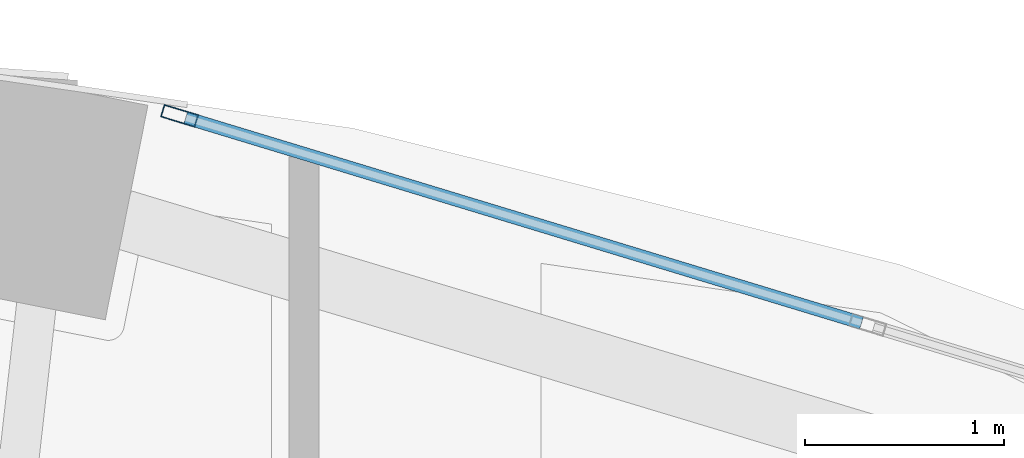
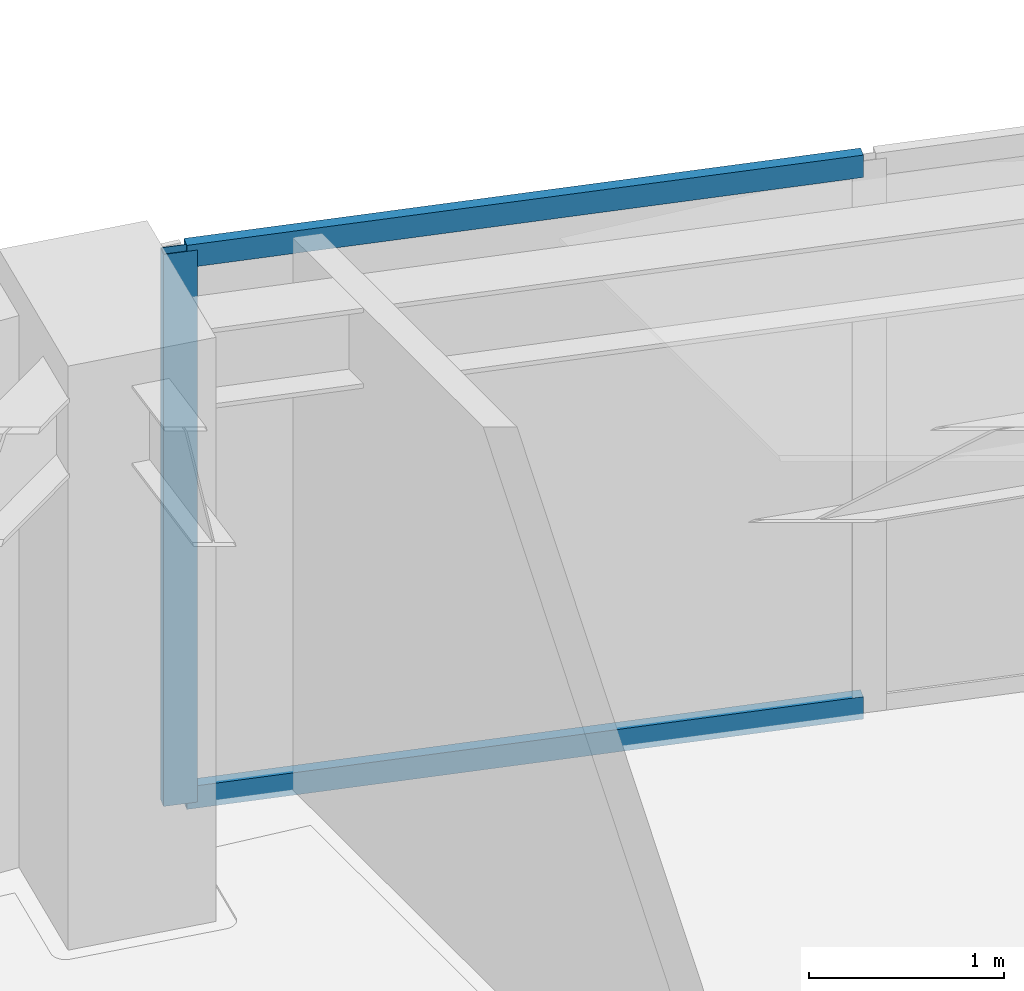
# One storey, part 7 of 13: 3 members, 1 element without a shape of its own.
"""IFC4 building model written with IfcOpenShell, lengths in metres."""

from ifc_helpers import new_model, si_unit, direction, frame, origin, origin_2d, place, context, subcontext, project, spatial, hollow_rectangle, extrude, material, layer, layer_set, material_profile, profile_set, type_object, element, aggregate, save


model = new_model("IFC4")

# Units and contexts
model_context = context("Model", 3, precision=1e-05, world=origin(), true_north=direction((0.0, 1.0)))
body_context = subcontext(model_context, "Body", "Model", "MODEL_VIEW")
ifc_project = project(units=[si_unit("LENGTHUNIT", "METRE"), si_unit("AREAUNIT", "SQUARE_METRE"), si_unit("VOLUMEUNIT", "CUBIC_METRE"), si_unit("PLANEANGLEUNIT", "RADIAN"), si_unit("MASSUNIT", "GRAM", prefix="KILO")], contexts=[model_context])

# Site, building, storey
site_placement = place(None, origin())
site = spatial("IfcSite", under=ifc_project, at=site_placement, CompositionType="ELEMENT")
building_placement = place(site_placement, origin())
building = spatial("IfcBuilding", under=site, at=building_placement, Name="Lazwardi Medical Tower", CompositionType="ELEMENT")
storey_placement = place(building_placement, frame((0.0, 0.0, 276.912109375)))
storey = spatial("IfcBuildingStorey", under=building, at=storey_placement, Name="L72", CompositionType="ELEMENT", Elevation=276.912109375)

# Curtain wall, members
ifc_material_1 = material(Name="Anodised bronze aluminium and solar control glazing", Category="aluminium")
ifc_layer = layer(ifc_material_1, 0.18994140625)
ifc_layer_set = layer_set([ifc_layer], Name="Anodised bronze aluminium and solar control glazing")
curtain_wall_type = type_object("IfcCurtainWallType", Name="CW-SYS-04", PredefinedType="NOTDEFINED", material=ifc_layer_set)
curtain_wall_placement = place(storey_placement, origin())
curtain_wall = element("IfcCurtainWall", 1, at=curtain_wall_placement, inside=storey, type_object=curtain_wall_type, Name="L72 Unitised bronze curtain wall CW-04", PredefinedType="NOTDEFINED")
ifc_material_2 = material(Name="Anodised bronze aluminium", Category="aluminium")
ifc_material_profile_1 = material_profile(ifc_material_2, hollow_rectangle(XDim=0.06494140625, YDim=0.179931640625, WallThickness=0.00390625, at=origin_2d()), Name="ALU-MULLION 180x65x4")
ifc_profile_set_1 = profile_set([ifc_material_profile_1], Name="Anodised bronze aluminium")
member_type_1 = type_object("IfcMemberType", Name="CW-MUL-03", PredefinedType="MULLION", material=ifc_profile_set_1)
member_1_placement = place(storey_placement, frame((40.873046875, 45.007080078125, 0.0), z_axis=(0.0, 0.0, 1.0), x_axis=(-0.290581889515, -0.956850126972, 0.0)))
member_1 = element("IfcMember", 2, at=member_1_placement, type_object=member_type_1, Name="CW-04 mullion 3", PredefinedType="MULLION", context=body_context, shape_type="SweptSolid", body=[
    extrude(hollow_rectangle(XDim=0.06494140625, YDim=0.179931640625, WallThickness=0.00390625, at=origin_2d()), origin(), (0.0, 0.0, 1.0), 3.447998046875),
])
ifc_material_profile_2 = material_profile(ifc_material_2, hollow_rectangle(XDim=0.06494140625, YDim=0.139892578125, WallThickness=0.00341796875, at=origin_2d()), Name="ALU-TRANSOM 140x65x3.5")
ifc_profile_set_2 = profile_set([ifc_material_profile_2], Name="Anodised bronze aluminium")
member_type_2 = type_object("IfcMemberType", Name="CW-TRN-03", PredefinedType="USERDEFINED", material=ifc_profile_set_2)
member_2_placement = place(storey_placement, frame((44.305419921875, 43.96484375, 0.032470703125), z_axis=(-0.956862505902, 0.290541124109, 0.0), x_axis=(-0.290541124109, -0.956862505902, 0.0)))
member_2 = element("IfcMember", 3, at=member_2_placement, type_object=member_type_2, Name="CW-04 transom 2.1", ObjectType="TRANSOM", PredefinedType="USERDEFINED", context=body_context, shape_type="SweptSolid", body=[
    extrude(hollow_rectangle(XDim=0.06494140625, YDim=0.139892578125, WallThickness=0.00341796875, at=origin_2d()), origin(), (0.0, 0.0, 1.0), 3.554443359375),
])
member_3_placement = place(storey_placement, frame((44.305419921875, 43.96484375, 3.415283203125), z_axis=(-0.956862505902, 0.290541124109, 0.0), x_axis=(-0.290541124109, -0.956862505902, 0.0)))
member_3 = element("IfcMember", 4, at=member_3_placement, type_object=member_type_2, Name="CW-04 transom 2.2", ObjectType="TRANSOM", PredefinedType="USERDEFINED", context=body_context, shape_type="SweptSolid", body=[
    extrude(hollow_rectangle(XDim=0.06494140625, YDim=0.139892578125, WallThickness=0.00341796875, at=origin_2d()), origin(), (0.0, 0.0, 1.0), 3.554443359375),
])
aggregate(curtain_wall, [member_1, member_2, member_3])

save(model, "model.ifc")
